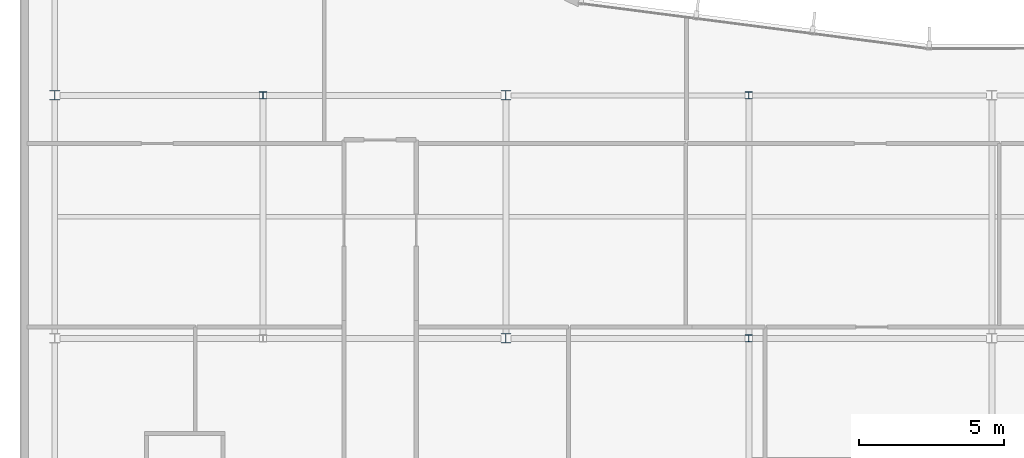
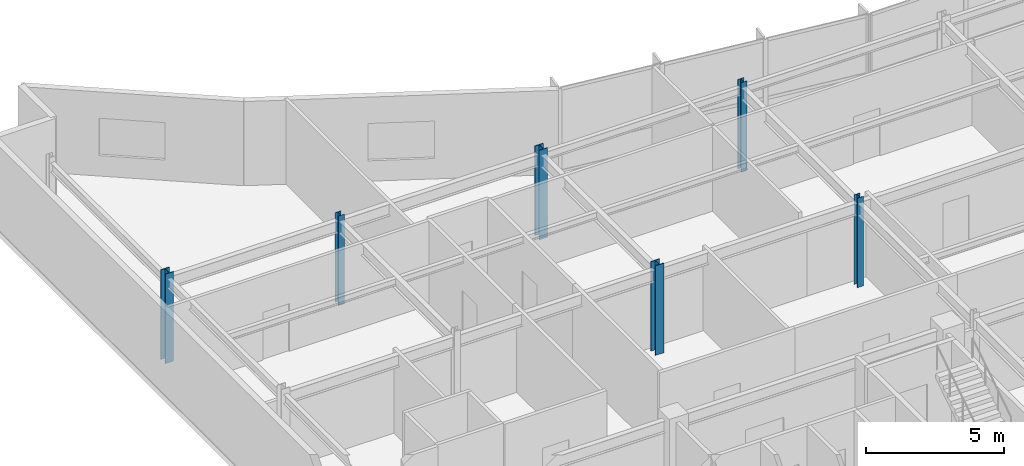
# One storey, part 2 of 15: 6 columns.
"""IFC4 building model written with IfcOpenShell, lengths in metres."""

from ifc_helpers import new_model, si_unit, direction, frame, origin, origin_2d, place, context, subcontext, project, spatial, i_section, extrude, material, material_profile, profile_set, type_object, element, save


model = new_model("IFC4")

# Units and contexts
model_context = context("Model", 3, precision=1e-05, world=origin(), true_north=direction((0.0, 1.0)))
body_context = subcontext(model_context, "Body", "Model", "MODEL_VIEW")
ifc_project = project(units=[si_unit("LENGTHUNIT", "METRE"), si_unit("AREAUNIT", "SQUARE_METRE"), si_unit("VOLUMEUNIT", "CUBIC_METRE"), si_unit("PLANEANGLEUNIT", "RADIAN"), si_unit("MASSUNIT", "GRAM", prefix="KILO")], contexts=[model_context])

# Site, building, storey
site_placement = place(None, origin())
site = spatial("IfcSite", under=ifc_project, at=site_placement, CompositionType="ELEMENT")
building_placement = place(site_placement, origin())
building = spatial("IfcBuilding", under=site, at=building_placement, Name="Varnakote Quay Hospital", CompositionType="ELEMENT")
storey_placement = place(building_placement, frame((0.0, 0.0, 248.64990234375)))
storey = spatial("IfcBuildingStorey", under=building, at=storey_placement, Name="L61", CompositionType="ELEMENT", Elevation=248.64990234375)

# Columns
ifc_material_1 = material(Name="Structural steel AS/NZS 3679.1 Grade 350 L0 (fy 340 MPa)", Category="steel")
ifc_material_profile_1 = material_profile(ifc_material_1, i_section(OverallWidth=0.25390625, OverallDepth=0.25390625, WebThickness=0.008544921875, FlangeThickness=0.01416015625, FilletRadius=0.0126953125, at=origin_2d()), Name="250UC72.9")
ifc_profile_set_1 = profile_set([ifc_material_profile_1], Name="Structural steel AS/NZS 3679.1 Grade 350 L0 (fy 340 MPa)")
column_type_1 = type_object("IfcColumnType", Name="COL-STL-250UC72-9", PredefinedType="COLUMN", material=ifc_profile_set_1)
for number, where, z_axis, x_axis, name in (
    (1, (25.199951171875, 20.39990234375, 0.0), (0.0, 0.0, 1.0), (1.0, 0.0, 0.0), "L61 Structural Column C-25-20"),
    (2, (8.39990234375, 28.800048828125, 0.0), (0.0, 0.0, 1.0), (1.0, 0.0, 0.0), "L61 Structural Column C-8-29"),
    (3, (25.199951171875, 28.800048828125, 0.0), (0.0, 0.0, 1.0), (1.0, 0.0, 0.0), "L61 Structural Column C-25-29"),
):
    element("IfcColumn", number, at=place(storey_placement, frame(where, z_axis=z_axis, x_axis=x_axis)), inside=storey, type_object=column_type_1, Name=name, PredefinedType="COLUMN", context=body_context, shape_type="SweptSolid", body=[
        extrude(i_section(OverallWidth=0.25390625, OverallDepth=0.25390625, WebThickness=0.008544921875, FlangeThickness=0.01416015625, FilletRadius=0.0126953125, at=origin_2d()), origin(), (0.0, 0.0, 1.0), 3.9501953125),
    ])
ifc_material_2 = material(Name="Structural steel AS/NZS 3678 Grade 350 (fy 340 MPa)", Category="steel")
ifc_material_profile_2 = material_profile(ifc_material_2, i_section(OverallWidth=0.35009765625, OverallDepth=0.340087890625, WebThickness=0.01611328125, FlangeThickness=0.028076171875, at=origin_2d()), Name="350WC197")
ifc_profile_set_2 = profile_set([ifc_material_profile_2], Name="Structural steel AS/NZS 3678 Grade 350 (fy 340 MPa)")
column_type_2 = type_object("IfcColumnType", Name="COL-STL-350WC197", PredefinedType="COLUMN", material=ifc_profile_set_2)
for number, where, z_axis, x_axis, name in (
    (4, (16.800048828125, 20.39990234375, 0.0), (0.0, 0.0, 1.0), (1.0, 0.0, 0.0), "L61 Structural Column C-17-20"),
    (5, (1.199951171875, 28.800048828125, 0.0), (0.0, 0.0, 1.0), (1.0, 0.0, 0.0), "L61 Structural Column C-1-29"),
    (6, (16.800048828125, 28.800048828125, 0.0), (0.0, 0.0, 1.0), (1.0, 0.0, 0.0), "L61 Structural Column C-17-29"),
):
    element("IfcColumn", number, at=place(storey_placement, frame(where, z_axis=z_axis, x_axis=x_axis)), inside=storey, type_object=column_type_2, Name=name, PredefinedType="COLUMN", context=body_context, shape_type="SweptSolid", body=[
        extrude(i_section(OverallWidth=0.35009765625, OverallDepth=0.340087890625, WebThickness=0.01611328125, FlangeThickness=0.028076171875, at=origin_2d()), origin(), (0.0, 0.0, 1.0), 3.9501953125),
    ])

save(model, "model.ifc")
